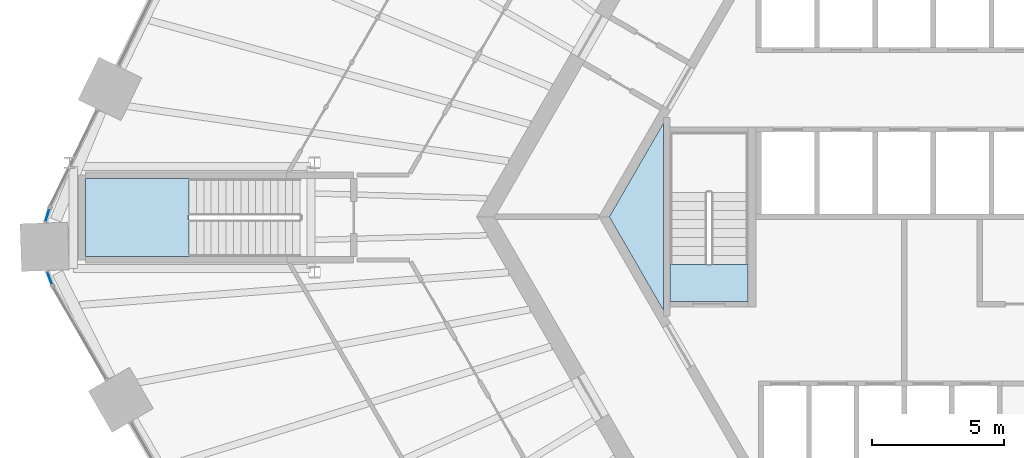
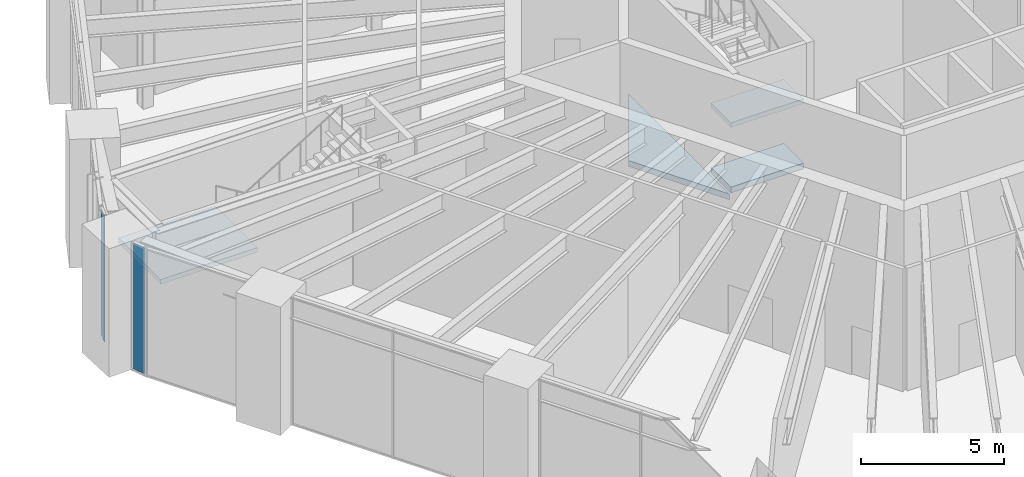
# One storey, part 15 of 30: 4 slabs, 2 plates, 4 elements without a shape of their own.
"""IFC4 building model written with IfcOpenShell, lengths in metres."""

from ifc_helpers import new_model, si_unit, direction, frame, origin, origin_2d, place, context, subcontext, project, spatial, polyline, rectangle, outline, extrude, material, layer, layer_set, type_object, element, aggregate, save


model = new_model("IFC4")

# Units and contexts
model_context = context("Model", 3, precision=1e-05, world=origin(), true_north=direction((0.0, 1.0)))
body_context = subcontext(model_context, "Body", "Model", "MODEL_VIEW")
ifc_project = project(units=[si_unit("LENGTHUNIT", "METRE"), si_unit("AREAUNIT", "SQUARE_METRE"), si_unit("VOLUMEUNIT", "CUBIC_METRE"), si_unit("PLANEANGLEUNIT", "RADIAN"), si_unit("MASSUNIT", "GRAM", prefix="KILO")], contexts=[model_context])

# Site, building, storey
site_placement = place(None, origin())
site = spatial("IfcSite", under=ifc_project, at=site_placement, CompositionType="ELEMENT")
building_placement = place(site_placement, origin())
building = spatial("IfcBuilding", under=site, at=building_placement, Name="Tarnside Tower", CompositionType="ELEMENT")
storey_placement = place(building_placement, frame((0.0, 0.0, 15.0)))
storey = spatial("IfcBuildingStorey", under=building, at=storey_placement, Name="L02", CompositionType="ELEMENT", Elevation=15.0)

# Slabs
ifc_material_1 = material(Name="Concrete C40/50", Category="concrete")
ifc_layer_1 = layer(ifc_material_1, 0.25)
ifc_layer_set_1 = layer_set([ifc_layer_1], Name="Core slab C40/50")
slab_type_1 = type_object("IfcSlabType", Name="Core slab C40/50", PredefinedType="FLOOR", material=ifc_layer_set_1)
slab_1_placement = place(storey_placement, frame((0.0, 0.0, -0.25)))
element("IfcSlab", 1, at=slab_1_placement, inside=storey, type_object=slab_type_1, Name="L02 core floor slab 4", PredefinedType="FLOOR", context=body_context, shape_type="SweptSolid", body=[
    extrude(outline(polyline([(-11.142822265625, 0.0), (-9.10009765625, 3.538330078125), (-9.10009765625, -3.538330078125), (-11.142822265625, 0.0)])), origin(), (0.0, 0.0, 1.0), 0.25),
])
slab_2_placement = place(storey_placement, frame((0.0, 0.0, -0.25)))
element("IfcSlab", 2, at=slab_2_placement, inside=storey, type_object=slab_type_1, Name="L02 core floor slab 5", PredefinedType="FLOOR", context=body_context, shape_type="SweptSolid", body=[
    extrude(outline(polyline([(-8.85009765625, -1.800048828125), (-5.89990234375, -1.800048828125), (-5.89990234375, -3.199951171875), (-8.85009765625, -3.199951171875), (-8.85009765625, -1.800048828125)])), origin(), (0.0, 0.0, 1.0), 0.25),
])

# Stair, slab
stair_type_1 = type_object("IfcStairType", Name="Podium exit stair 1400 clear", PredefinedType="HALF_TURN_STAIR", material=ifc_material_1)
stair_1_placement = place(storey_placement, origin())
stair_1 = element("IfcStair", 3, at=stair_1_placement, inside=storey, type_object=stair_type_1, Name="L02 Podium exit stair 2", PredefinedType="HALF_TURN_STAIR")
ifc_layer_2 = layer(ifc_material_1, 0.199951171875)
ifc_layer_set_2 = layer_set([ifc_layer_2], Name="Podium stair landing 200 C40/50")
slab_type_2 = type_object("IfcSlabType", Name="Podium stair landing 200 C40/50", PredefinedType="LANDING", material=ifc_layer_set_2)
slab_3_placement = place(storey_placement, frame((0.0, 0.0, 2.550048828125)))
slab_3 = element("IfcSlab", 4, at=slab_3_placement, type_object=slab_type_2, Name="PS2 landing 1", PredefinedType="LANDING", context=body_context, shape_type="SweptSolid", body=[
    extrude(outline(polyline([(-27.030029296875, 1.449951171875), (-30.949951171875, 1.449951171875), (-30.949951171875, -1.5), (-27.030029296875, -1.5), (-27.030029296875, 1.449951171875)])), origin(), (0.0, 0.0, 1.0), 0.199951171875),
])
aggregate(stair_1, [slab_3])

# Curtain wall, plate
ifc_material_2 = material(Name="Retail shopfront glazing wall", Category="glass")
curtain_wall_type = type_object("IfcCurtainWallType", Name="Retail shopfront glazing wall", PredefinedType="NOTDEFINED", material=ifc_material_2)
curtain_wall_1_placement = place(storey_placement, origin())
curtain_wall_1 = element("IfcCurtainWall", 5, at=curtain_wall_1_placement, inside=storey, type_object=curtain_wall_type, Name="Retail shopfront glazing L02 06.1", PredefinedType="NOTDEFINED")
ifc_material_3 = material(Name="Low-iron safety glass", Category="glass")
ifc_layer_3 = layer(ifc_material_3, 0.028076171875)
ifc_layer_set_3 = layer_set([ifc_layer_3], Name="Retail shopfront glazing panel 28")
plate_type = type_object("IfcPlateType", Name="Retail shopfront glazing panel 28", PredefinedType="CURTAIN_PANEL", material=ifc_layer_set_3)
plate_1_placement = place(storey_placement, frame((-32.37890625, 0.062744140625, -0.18994140625), z_axis=(0.0, 0.0, 1.0), x_axis=(-0.286803231262, -0.957989512749, 0.0)))
plate_1 = element("IfcPlate", 6, at=plate_1_placement, type_object=plate_type, Name="CW2 panel 1.1", PredefinedType="CURTAIN_PANEL", context=body_context, shape_type="SweptSolid", body=[
    extrude(rectangle(XDim=0.48828125, YDim=0.028076171875, at=origin_2d()), origin(), (0.0, 0.0, 1.0), 5.3798828125),
])
aggregate(curtain_wall_1, [plate_1])

curtain_wall_2_placement = place(storey_placement, origin())
curtain_wall_2 = element("IfcCurtainWall", 7, at=curtain_wall_2_placement, inside=storey, type_object=curtain_wall_type, Name="Retail shopfront glazing L02 07.0", PredefinedType="NOTDEFINED")
plate_2_placement = place(storey_placement, frame((-32.295654296875, -2.3212890625, -0.18994140625), z_axis=(0.0, 0.0, 1.0), x_axis=(0.352930563788, -0.935649516189, 0.0)))
plate_2 = element("IfcPlate", 8, at=plate_2_placement, type_object=plate_type, Name="CW2 panel 1.1", PredefinedType="CURTAIN_PANEL", context=body_context, shape_type="SweptSolid", body=[
    extrude(rectangle(XDim=0.48828125, YDim=0.028076171875, at=origin_2d()), origin(), (0.0, 0.0, 1.0), 5.3798828125),
])
aggregate(curtain_wall_2, [plate_2])

# Stair, slab
stair_type_2 = type_object("IfcStairType", Name="Exit stair 1400 clear", PredefinedType="HALF_TURN_STAIR", material=ifc_material_1)
stair_2_placement = place(storey_placement, origin())
stair_2 = element("IfcStair", 9, at=stair_2_placement, inside=storey, type_object=stair_type_2, Name="L02 Exit stair 2", PredefinedType="HALF_TURN_STAIR")
ifc_layer_4 = layer(ifc_material_1, 0.199951171875)
ifc_layer_set_4 = layer_set([ifc_layer_4], Name="Stair landing 200 C40/50")
slab_type_3 = type_object("IfcSlabType", Name="Stair landing 200 C40/50", PredefinedType="LANDING", material=ifc_layer_set_4)
slab_4_placement = place(storey_placement, frame((0.0, 0.0, 2.550048828125)))
slab_4 = element("IfcSlab", 10, at=slab_4_placement, type_object=slab_type_3, Name="ST2 landing 2", PredefinedType="LANDING", context=body_context, shape_type="SweptSolid", body=[
    extrude(outline(polyline([(-5.89990234375, -3.199951171875), (-5.89990234375, -1.800048828125), (-8.85009765625, -1.800048828125), (-8.85009765625, -3.199951171875), (-5.89990234375, -3.199951171875)])), origin(), (0.0, 0.0, 1.0), 0.199951171875),
])
aggregate(stair_2, [slab_4])

save(model, "model.ifc")
